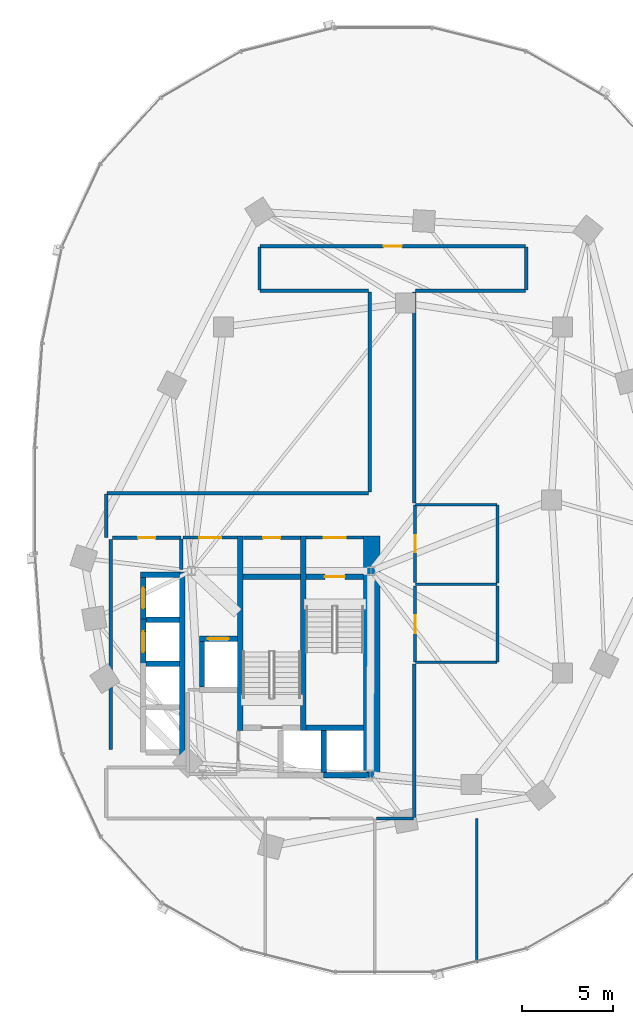
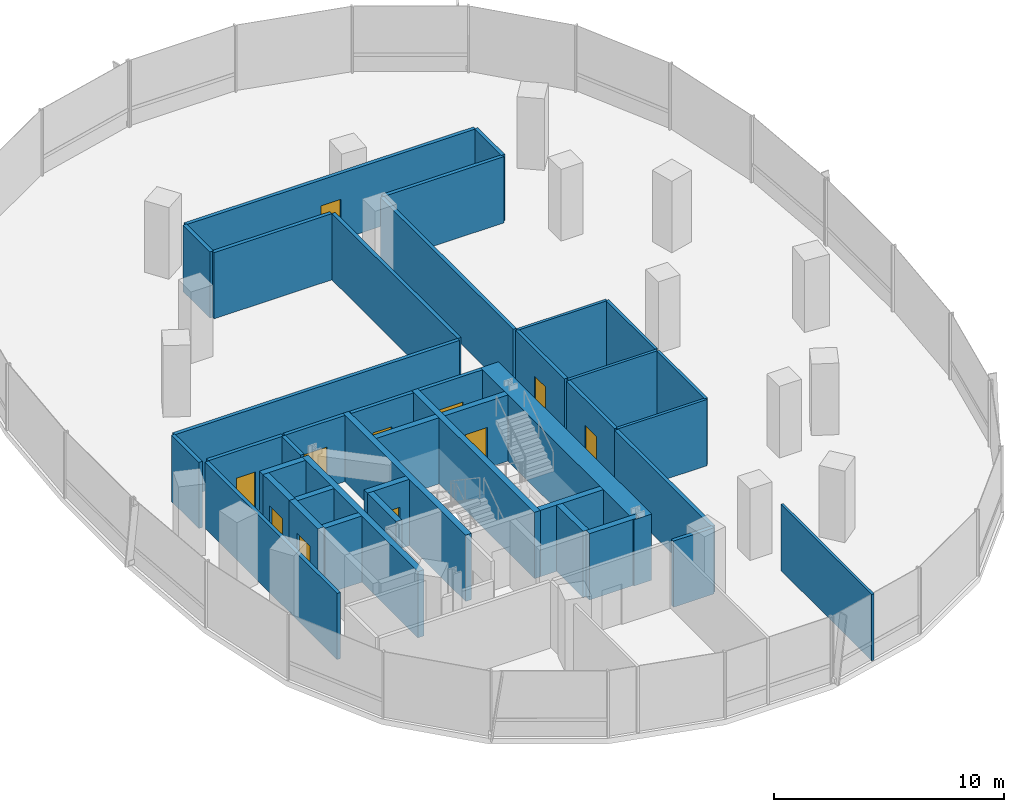
# One storey, part 13 of 21: 41 walls, 11 doors, 11 openings.
"""IFC4 building model written with IfcOpenShell, lengths in metres."""

from ifc_helpers import new_model, si_unit, direction, frame, frame_2d, origin, place, context, subcontext, project, spatial, rectangle, extrude, material, layer, layer_set, type_object, element, fill, save


model = new_model("IFC4")

# Units and contexts
model_context = context("Model", 3, precision=1e-05, world=origin(), true_north=direction((0.0, 1.0)))
body_context = subcontext(model_context, "Body", "Model", "MODEL_VIEW")
ifc_project = project(units=[si_unit("LENGTHUNIT", "METRE"), si_unit("AREAUNIT", "SQUARE_METRE"), si_unit("VOLUMEUNIT", "CUBIC_METRE"), si_unit("PLANEANGLEUNIT", "RADIAN"), si_unit("MASSUNIT", "GRAM", prefix="KILO"), si_unit("THERMODYNAMICTEMPERATUREUNIT", "KELVIN"), si_unit("POWERUNIT", "WATT")], contexts=[model_context])

# Site, building, storey
site_placement = place(None, origin())
site = spatial("IfcSite", under=ifc_project, at=site_placement, CompositionType="ELEMENT")
building_placement = place(site_placement, origin())
building = spatial("IfcBuilding", under=site, at=building_placement, Name="Cundina Bronze Exchange", CompositionType="ELEMENT")
storey_placement = place(building_placement, frame((0.0, 0.0, 73.39990234375)))
storey = spatial("IfcBuildingStorey", under=building, at=storey_placement, Name="L18", CompositionType="ELEMENT", Elevation=73.39990234375)

# Wall
ifc_material_1 = material(Name="Gypsum Fireboard Partition EI120")
ifc_layer_1 = layer(ifc_material_1, 0.179931640625, Name="Gypsum Fireboard Partition EI120")
ifc_layer_set_1 = layer_set([ifc_layer_1], Name="Gypsum Fireboard Partition EI120")
wall_type_1 = type_object("IfcWallType", Name="WL-COR-180", PredefinedType="PARTITIONING", material=ifc_layer_set_1)
wall_1_placement = place(storey_placement, frame((20.889892578125, -3.800048828125, 0.0), z_axis=(0.0, 0.0, 1.0), x_axis=(0.0, 1.0, 0.0)))
element("IfcWall", 1, at=wall_1_placement, inside=storey, type_object=wall_type_1, Name="L18 E Firefighting Lobby Side Wall", PredefinedType="PARTITIONING", context=body_context, shape_type="SweptSolid", body=[
    extrude(rectangle(XDim=1.650146484375, YDim=0.179931640625, at=frame_2d((0.8251953125, 0.0))), origin(), (0.0, 0.0, 1.0), 3.52001953125),
])

# Wall, opening, door
wall_2_placement = place(storey_placement, frame((20.97998046875, -2.06005859375, 0.0), z_axis=(0.0, 0.0, 1.0), x_axis=(1.0, 0.0, 0.0)))
wall_2 = element("IfcWall", 2, at=wall_2_placement, inside=storey, type_object=wall_type_1, Name="L18 E Firefighting Lobby Exit Wall", PredefinedType="PARTITIONING", context=body_context, shape_type="SweptSolid", body=[
    extrude(rectangle(XDim=3.0, YDim=0.179931640625, at=frame_2d((1.5, 0.0))), origin(), (0.0, 0.0, 1.0), 3.52001953125),
])
opening_1_placement = place(wall_2_placement, frame((0.89990234375, 0.0, 0.0)))
opening_1 = element("IfcOpeningElement", 3, at=opening_1_placement, cuts=wall_2, Name="Opening DF-01", PredefinedType="OPENING", context=body_context, shape_type="SweptSolid", body=[
    extrude(rectangle(XDim=1.199951171875, YDim=2.14990234375, at=frame_2d((0.60009765625, 1.074951171875))), frame((0.0, 0.099853515625, 0.0), z_axis=(0.0, -1.0, 0.0), x_axis=(1.0, 0.0, 0.0)), (0.0, 0.0, 1.0), 0.199951171875),
])
ifc_material_2 = material(Name="Steel ASTM A36 Painted", Category="steel")
door_type_1 = type_object("IfcDoorType", Name="DR-FFL-1200", OperationType="NOTDEFINED", PredefinedType="DOOR", material=ifc_material_2)
door_1_placement = place(opening_1_placement, origin())
door_1 = element("IfcDoor", 4, at=door_1_placement, inside=storey, type_object=door_type_1, Name="L18 E Firefighting Lobby Door", OperationType="SINGLE_SWING_LEFT", OverallHeight=2.14990234375, OverallWidth=1.199951171875, PredefinedType="DOOR", context=body_context, shape_type="SweptSolid", body=[
    extrude(rectangle(XDim=1.199951171875, YDim=2.14990234375, at=frame_2d((0.60009765625, 1.074951171875))), frame((0.0, 0.02490234375, 0.0), z_axis=(0.0, -1.0, 0.0), x_axis=(1.0, 0.0, 0.0)), (0.0, 0.0, 1.0), 0.050048828125),
])
fill(opening_1, door_1)

wall_3_placement = place(storey_placement, frame((27.739990234375, -2.06005859375, 0.0), z_axis=(0.0, 0.0, 1.0), x_axis=(1.0, 0.0, 0.0)))
wall_3 = element("IfcWall", 5, at=wall_3_placement, inside=storey, type_object=wall_type_1, Name="L18 E Stair Vestibule Exit Wall", PredefinedType="PARTITIONING", context=body_context, shape_type="SweptSolid", body=[
    extrude(rectangle(XDim=3.159912109375, YDim=0.179931640625, at=frame_2d((1.580078125, 0.0))), origin(), (0.0, 0.0, 1.0), 3.52001953125),
])
opening_2_placement = place(wall_3_placement, frame((0.97998046875, 0.0, 0.0)))
opening_2 = element("IfcOpeningElement", 6, at=opening_2_placement, cuts=wall_3, Name="Opening DF-01", PredefinedType="OPENING", context=body_context, shape_type="SweptSolid", body=[
    extrude(rectangle(XDim=1.199951171875, YDim=2.14990234375, at=frame_2d((0.60009765625, 1.074951171875))), frame((0.0, 0.099853515625, 0.0), z_axis=(0.0, -1.0, 0.0), x_axis=(1.0, 0.0, 0.0)), (0.0, 0.0, 1.0), 0.199951171875),
])
door_2_placement = place(opening_2_placement, origin())
door_2 = element("IfcDoor", 7, at=door_2_placement, inside=storey, type_object=door_type_1, Name="L18 E Stair Vestibule Door", OperationType="SINGLE_SWING_RIGHT", OverallHeight=2.14990234375, OverallWidth=1.199951171875, PredefinedType="DOOR", context=body_context, shape_type="SweptSolid", body=[
    extrude(rectangle(XDim=1.199951171875, YDim=2.14990234375, at=frame_2d((0.60009765625, 1.074951171875))), frame((0.0, 0.02490234375, 0.0), z_axis=(0.0, -1.0, 0.0), x_axis=(1.0, 0.0, 0.0)), (0.0, 0.0, 1.0), 0.050048828125),
])
fill(opening_2, door_2)

# Wall
wall_4_placement = place(storey_placement, frame((17.02001953125, -13.679931640625, 0.0), z_axis=(0.0, 0.0, 1.0), x_axis=(0.0, 1.0, 0.0)))
element("IfcWall", 8, at=wall_4_placement, inside=storey, type_object=wall_type_1, Name="L18 Interior Partition 031", PredefinedType="PARTITIONING", context=body_context, shape_type="SweptSolid", body=[
    extrude(rectangle(XDim=11.510009765625, YDim=0.179931640625, at=frame_2d((5.7548828125, 0.0))), origin(), (0.0, 0.0, 1.0), 3.52001953125),
])

# Wall, opening, door
wall_5_placement = place(storey_placement, frame((17.1201171875, -2.070068359375, 0.0), z_axis=(0.0, 0.0, 1.0), x_axis=(1.0, 0.0, 0.0)))
wall_5 = element("IfcWall", 9, at=wall_5_placement, inside=storey, type_object=wall_type_1, Name="L18 Interior Partition 032", PredefinedType="PARTITIONING", context=body_context, shape_type="SweptSolid", body=[
    extrude(rectangle(XDim=3.75, YDim=0.179931640625, at=frame_2d((1.875, 0.0))), origin(), (0.0, 0.0, 1.0), 3.52001953125),
])
opening_3_placement = place(wall_5_placement, frame((1.39990234375, 0.0, 0.0)))
opening_3 = element("IfcOpeningElement", 10, at=opening_3_placement, cuts=wall_5, Name="Opening DW-01", PredefinedType="OPENING", context=body_context, shape_type="SweptSolid", body=[
    extrude(rectangle(XDim=0.949951171875, YDim=2.10009765625, at=frame_2d((0.47509765625, 1.050048828125))), frame((0.0, 0.099853515625, 0.0), z_axis=(0.0, -1.0, 0.0), x_axis=(1.0, 0.0, 0.0)), (0.0, 0.0, 1.0), 0.199951171875),
])
ifc_material_3 = material(Name="Solid Andean Oak Timber Grade A", Category="wood")
door_type_2 = type_object("IfcDoorType", Name="DR-WC-950", OperationType="NOTDEFINED", PredefinedType="DOOR", material=ifc_material_3)
door_3_placement = place(opening_3_placement, origin())
door_3 = element("IfcDoor", 11, at=door_3_placement, inside=storey, type_object=door_type_2, Name="L18 Interior Door 032", OperationType="SINGLE_SWING_RIGHT", OverallHeight=2.10009765625, OverallWidth=0.949951171875, PredefinedType="DOOR", context=body_context, shape_type="SweptSolid", body=[
    extrude(rectangle(XDim=0.949951171875, YDim=2.10009765625, at=frame_2d((0.47509765625, 1.050048828125))), frame((0.0, 0.02490234375, 0.0), z_axis=(0.0, -1.0, 0.0), x_axis=(1.0, 0.0, 0.0)), (0.0, 0.0, 1.0), 0.050048828125),
])
fill(opening_3, door_3)

wall_6_placement = place(storey_placement, frame((24.300048828125, -2.070068359375, 0.0), z_axis=(0.0, 0.0, 1.0), x_axis=(1.0, 0.0, 0.0)))
wall_6 = element("IfcWall", 12, at=wall_6_placement, inside=storey, type_object=wall_type_1, Name="L18 Interior Partition 036", PredefinedType="PARTITIONING", context=body_context, shape_type="SweptSolid", body=[
    extrude(rectangle(XDim=3.119873046875, YDim=0.179931640625, at=frame_2d((1.56005859375, 0.0))), origin(), (0.0, 0.0, 1.0), 3.52001953125),
])
opening_4_placement = place(wall_6_placement, frame((1.0849609375, 0.0, 0.0)))
opening_4 = element("IfcOpeningElement", 13, at=opening_4_placement, cuts=wall_6, Name="Opening DW-01", PredefinedType="OPENING", context=body_context, shape_type="SweptSolid", body=[
    extrude(rectangle(XDim=0.949951171875, YDim=2.10009765625, at=frame_2d((0.47509765625, 1.050048828125))), frame((0.0, 0.099853515625, 0.0), z_axis=(0.0, -1.0, 0.0), x_axis=(1.0, 0.0, 0.0)), (0.0, 0.0, 1.0), 0.199951171875),
])
door_4_placement = place(opening_4_placement, origin())
door_4 = element("IfcDoor", 14, at=door_4_placement, inside=storey, type_object=door_type_2, Name="L18 Interior Door 036", OperationType="SINGLE_SWING_RIGHT", OverallHeight=2.10009765625, OverallWidth=0.949951171875, PredefinedType="DOOR", context=body_context, shape_type="SweptSolid", body=[
    extrude(rectangle(XDim=0.949951171875, YDim=2.10009765625, at=frame_2d((0.47509765625, 1.050048828125))), frame((0.0, 0.02490234375, 0.0), z_axis=(0.0, -1.0, 0.0), x_axis=(1.0, 0.0, 0.0)), (0.0, 0.0, 1.0), 0.050048828125),
])
fill(opening_4, door_4)

wall_7_placement = place(storey_placement, frame((33.719970703125, -4.530029296875, 0.0), z_axis=(0.0, 0.0, 1.0), x_axis=(0.0, 1.0, 0.0)))
wall_7 = element("IfcWall", 15, at=wall_7_placement, inside=storey, type_object=wall_type_1, Name="L18 Interior Partition 043", PredefinedType="PARTITIONING", context=body_context, shape_type="SweptSolid", body=[
    extrude(rectangle(XDim=4.260009765625, YDim=0.179931640625, at=frame_2d((2.1298828125, 0.0))), origin(), (0.0, 0.0, 1.0), 3.52001953125),
])
opening_5_placement = place(wall_7_placement, frame((1.655029296875, 0.0, 0.0)))
opening_5 = element("IfcOpeningElement", 16, at=opening_5_placement, cuts=wall_7, Name="Opening DW-01", PredefinedType="OPENING", context=body_context, shape_type="SweptSolid", body=[
    extrude(rectangle(XDim=0.949951171875, YDim=2.10009765625, at=frame_2d((0.47509765625, 1.050048828125))), frame((0.0, 0.099853515625, 0.0), z_axis=(0.0, -1.0, 0.0), x_axis=(1.0, 0.0, 0.0)), (0.0, 0.0, 1.0), 0.199951171875),
])
door_5_placement = place(opening_5_placement, origin())
door_5 = element("IfcDoor", 17, at=door_5_placement, inside=storey, type_object=door_type_2, Name="L18 Interior Door 043", OperationType="SINGLE_SWING_RIGHT", OverallHeight=2.10009765625, OverallWidth=0.949951171875, PredefinedType="DOOR", context=body_context, shape_type="SweptSolid", body=[
    extrude(rectangle(XDim=0.949951171875, YDim=2.10009765625, at=frame_2d((0.47509765625, 1.050048828125))), frame((0.0, 0.02490234375, 0.0), z_axis=(0.0, -1.0, 0.0), x_axis=(1.0, 0.0, 0.0)), (0.0, 0.0, 1.0), 0.050048828125),
])
fill(opening_5, door_5)

wall_8_placement = place(storey_placement, frame((33.719970703125, -8.889892578125, 0.0), z_axis=(0.0, 0.0, 1.0), x_axis=(0.0, 1.0, 0.0)))
wall_8 = element("IfcWall", 18, at=wall_8_placement, inside=storey, type_object=wall_type_1, Name="L18 Interior Partition 044", PredefinedType="PARTITIONING", context=body_context, shape_type="SweptSolid", body=[
    extrude(rectangle(XDim=4.159912109375, YDim=0.179931640625, at=frame_2d((2.080078125, 0.0))), origin(), (0.0, 0.0, 1.0), 3.52001953125),
])
opening_6_placement = place(wall_8_placement, frame((1.580078125, 0.0, 0.0)))
opening_6 = element("IfcOpeningElement", 19, at=opening_6_placement, cuts=wall_8, Name="Opening DO-01", PredefinedType="OPENING", context=body_context, shape_type="SweptSolid", body=[
    extrude(rectangle(XDim=1.0, YDim=2.14990234375, at=frame_2d((0.5, 1.074951171875))), frame((0.0, 0.099853515625, 0.0), z_axis=(0.0, -1.0, 0.0), x_axis=(1.0, 0.0, 0.0)), (0.0, 0.0, 1.0), 0.199951171875),
])
door_type_3 = type_object("IfcDoorType", Name="DR-OFF-1000", OperationType="NOTDEFINED", PredefinedType="DOOR", material=ifc_material_3)
door_6_placement = place(opening_6_placement, origin())
door_6 = element("IfcDoor", 20, at=door_6_placement, inside=storey, type_object=door_type_3, Name="L18 Interior Door 044", OperationType="SINGLE_SWING_RIGHT", OverallHeight=2.14990234375, OverallWidth=1.0, PredefinedType="DOOR", context=body_context, shape_type="SweptSolid", body=[
    extrude(rectangle(XDim=1.0, YDim=2.14990234375, at=frame_2d((0.5, 1.074951171875))), frame((0.0, 0.02490234375, 0.0), z_axis=(0.0, -1.0, 0.0), x_axis=(1.0, 0.0, 0.0)), (0.0, 0.0, 1.0), 0.050048828125),
])
fill(opening_6, door_6)

wall_9_placement = place(storey_placement, frame((39.778564453125, 13.919921875, 0.0), z_axis=(0.0, 0.0, 1.0), x_axis=(-1.0, 0.0, 0.0)))
wall_9 = element("IfcWall", 21, at=wall_9_placement, inside=storey, type_object=wall_type_1, Name="L18 Interior Partition 049", PredefinedType="PARTITIONING", context=body_context, shape_type="SweptSolid", body=[
    extrude(rectangle(XDim=14.55712890625, YDim=0.179931640625, at=frame_2d((7.278564453125, 0.0))), origin(), (0.0, 0.0, 1.0), 3.52001953125),
])
opening_7_placement = place(wall_9_placement, frame((6.778564453125, 0.0, 0.0)))
opening_7 = element("IfcOpeningElement", 22, at=opening_7_placement, cuts=wall_9, Name="Opening DO-01", PredefinedType="OPENING", context=body_context, shape_type="SweptSolid", body=[
    extrude(rectangle(XDim=1.0, YDim=2.14990234375, at=frame_2d((0.5, 1.074951171875))), frame((0.0, 0.099853515625, 0.0), z_axis=(0.0, -1.0, 0.0), x_axis=(1.0, 0.0, 0.0)), (0.0, 0.0, 1.0), 0.199951171875),
])
door_7_placement = place(opening_7_placement, origin())
door_7 = element("IfcDoor", 23, at=door_7_placement, inside=storey, type_object=door_type_3, Name="L18 Interior Door 049", OperationType="SINGLE_SWING_LEFT", OverallHeight=2.14990234375, OverallWidth=1.0, PredefinedType="DOOR", context=body_context, shape_type="SweptSolid", body=[
    extrude(rectangle(XDim=1.0, YDim=2.14990234375, at=frame_2d((0.5, 1.074951171875))), frame((0.0, 0.02490234375, 0.0), z_axis=(0.0, -1.0, 0.0), x_axis=(1.0, 0.0, 0.0)), (0.0, 0.0, 1.0), 0.050048828125),
])
fill(opening_7, door_7)

# Walls
wall_10_placement = place(storey_placement, frame((31.14990234375, 0.3701171875, 0.0), z_axis=(0.0, 0.0, 1.0), x_axis=(-1.0, 0.0, 0.0)))
element("IfcWall", 24, at=wall_10_placement, inside=storey, type_object=wall_type_1, Name="L18 Interior Partition 050", PredefinedType="PARTITIONING", context=body_context, shape_type="SweptSolid", body=[
    extrude(rectangle(XDim=14.328369140625, YDim=0.179931640625, at=frame_2d((7.1640625, 0.0))), origin(), (0.0, 0.0, 1.0), 3.52001953125),
])
wall_11_placement = place(storey_placement, frame((33.669921875, -0.15869140625, 0.0), z_axis=(0.0, 0.0, 1.0), x_axis=(0.0, 1.0, 0.0)))
element("IfcWall", 25, at=wall_11_placement, inside=storey, type_object=wall_type_1, Name="L18 Interior Partition 051", PredefinedType="PARTITIONING", context=body_context, shape_type="SweptSolid", body=[
    extrude(rectangle(XDim=11.55859375, YDim=0.179931640625, at=frame_2d((5.779296875, 0.0))), origin(), (0.0, 0.0, 1.0), 3.52001953125),
])
wall_12_placement = place(storey_placement, frame((31.22998046875, 11.39990234375, 0.0), z_axis=(0.0, 0.0, 1.0), x_axis=(0.0, -1.0, 0.0)))
element("IfcWall", 26, at=wall_12_placement, inside=storey, type_object=wall_type_1, Name="L18 Interior Partition 052", PredefinedType="PARTITIONING", context=body_context, shape_type="SweptSolid", body=[
    extrude(rectangle(XDim=10.949951171875, YDim=0.179931640625, at=frame_2d((5.47509765625, 0.0))), origin(), (0.0, 0.0, 1.0), 3.52001953125),
])
wall_13_placement = place(storey_placement, frame((33.669921875, -17.428466796875, 0.0), z_axis=(0.0, 0.0, 1.0), x_axis=(0.0, 1.0, 0.0)))
element("IfcWall", 27, at=wall_13_placement, inside=storey, type_object=wall_type_1, Name="L18 Interior Partition 054", PredefinedType="PARTITIONING", context=body_context, shape_type="SweptSolid", body=[
    extrude(rectangle(XDim=8.427001953125, YDim=0.179931640625, at=frame_2d((4.21337890625, 0.0))), origin(), (0.0, 0.0, 1.0), 3.52001953125),
])
wall_14_placement = place(storey_placement, frame((33.75, 11.47998046875, 0.0), z_axis=(0.0, 0.0, 1.0), x_axis=(1.0, 0.0, 0.0)))
element("IfcWall", 28, at=wall_14_placement, inside=storey, type_object=wall_type_1, Name="L18 Interior Partition 055", PredefinedType="PARTITIONING", context=body_context, shape_type="SweptSolid", body=[
    extrude(rectangle(XDim=6.028564453125, YDim=0.179931640625, at=frame_2d((3.01416015625, 0.0))), origin(), (0.0, 0.0, 1.0), 3.52001953125),
])
wall_15_placement = place(storey_placement, frame((25.221435546875, 11.47998046875, 0.0), z_axis=(0.0, 0.0, 1.0), x_axis=(1.0, 0.0, 0.0)))
element("IfcWall", 29, at=wall_15_placement, inside=storey, type_object=wall_type_1, Name="L18 Interior Partition 056", PredefinedType="PARTITIONING", context=body_context, shape_type="SweptSolid", body=[
    extrude(rectangle(XDim=5.928466796875, YDim=0.179931640625, at=frame_2d((2.96435546875, 0.0))), origin(), (0.0, 0.0, 1.0), 3.52001953125),
])
wall_16_placement = place(storey_placement, frame((16.780029296875, 0.32861328125, 0.0), z_axis=(0.0, 0.0, 1.0), x_axis=(0.0, -1.0, 0.0)))
element("IfcWall", 30, at=wall_16_placement, inside=storey, type_object=wall_type_1, Name="L18 Interior Partition 059", PredefinedType="PARTITIONING", context=body_context, shape_type="SweptSolid", body=[
    extrude(rectangle(XDim=2.38720703125, YDim=0.179931640625, at=frame_2d((1.193603515625, 0.0))), origin(), (0.0, 0.0, 1.0), 3.52001953125),
])
for number, where, z_axis, x_axis, name in (
    (31, (39.820068359375, 11.521484375, 0.0), (0.0, 0.0, 1.0), (0.0, 1.0, 0.0), "L18 Interior Partition 060"),
    (32, (25.179931640625, 13.87841796875, 0.0), (0.0, 0.0, 1.0), (0.0, -1.0, 0.0), "L18 Interior Partition 061"),
):
    element("IfcWall", number, at=place(storey_placement, frame(where, z_axis=z_axis, x_axis=x_axis)), inside=storey, type_object=wall_type_1, Name=name, PredefinedType="PARTITIONING", context=body_context, shape_type="SweptSolid", body=[
        extrude(rectangle(XDim=2.35693359375, YDim=0.179931640625, at=frame_2d((1.178466796875, 0.0))), origin(), (0.0, 0.0, 1.0), 3.52001953125),
    ])
wall_17_placement = place(storey_placement, frame((31.590087890625, -17.469970703125, 0.0), z_axis=(0.0, 0.0, 1.0), x_axis=(1.0, 0.0, 0.0)))
element("IfcWall", 33, at=wall_17_placement, inside=storey, type_object=wall_type_1, Name="L18 Interior Partition 062", PredefinedType="PARTITIONING", context=body_context, shape_type="SweptSolid", body=[
    extrude(rectangle(XDim=2.038330078125, YDim=0.179931640625, at=frame_2d((1.01904296875, 0.0))), origin(), (0.0, 0.0, 1.0), 3.52001953125),
])
ifc_material_4 = material(Name="Concrete C60/75", Category="concrete")
ifc_layer_2 = layer(ifc_material_4, 0.89990234375, Name="Concrete C60/75", Category="concrete")
ifc_layer_set_2 = layer_set([ifc_layer_2], Name="Concrete C60/75")
wall_type_2 = type_object("IfcWallType", Name="WL-CORE-900", PredefinedType="SHEAR", material=ifc_layer_set_2)
wall_18_placement = place(storey_placement, frame((31.35009765625, -15.300048828125, 0.0), z_axis=(0.0, 0.0, 1.0), x_axis=(0.0, 1.0, 0.0)))
element("IfcWall", 34, at=wall_18_placement, inside=storey, type_object=wall_type_2, Name="L18 E Primary Core Shear Spine Wall", PredefinedType="SHEAR", context=body_context, shape_type="SweptSolid", body=[
    extrude(rectangle(XDim=13.330078125, YDim=0.89990234375, at=frame_2d((6.6650390625, 0.0))), origin(), (0.0, 0.0, 1.0), 3.52001953125),
])
ifc_material_5 = material(Name="Gypsum Acoustic Partition EI60")
ifc_layer_3 = layer(ifc_material_5, 0.125, Name="Gypsum Acoustic Partition EI60")
ifc_layer_set_3 = layer_set([ifc_layer_3], Name="Gypsum Acoustic Partition EI60")
wall_type_3 = type_object("IfcWallType", Name="WL-OFF-125", PredefinedType="PARTITIONING", material=ifc_layer_set_3)
wall_19_placement = place(storey_placement, frame((37.10009765625, -25.37890625, 0.0), z_axis=(0.0, 0.0, 1.0), x_axis=(0.0, 1.0, 0.0)))
element("IfcWall", 35, at=wall_19_placement, inside=storey, type_object=wall_type_3, Name="L18 Interior Partition 047", PredefinedType="PARTITIONING", context=body_context, shape_type="SweptSolid", body=[
    extrude(rectangle(XDim=7.908935546875, YDim=0.125, at=frame_2d((3.95458984375, 0.0))), origin(), (0.0, 0.0, 1.0), 3.52001953125),
])
ifc_material_6 = material(Name="Concrete C50/60", Category="concrete")
ifc_layer_4 = layer(ifc_material_6, 0.300048828125, Name="Concrete C50/60", Category="concrete")
ifc_layer_set_4 = layer_set([ifc_layer_4], Name="Concrete C50/60")
wall_type_4 = type_object("IfcWallType", Name="WL-SHFT-300", PredefinedType="SHEAR", material=ifc_layer_set_4)
for number, where, z_axis, x_axis, name in (
    (36, (27.590087890625, -12.64990234375, 0.0), (0.0, 0.0, 1.0), (0.0, 1.0, 0.0), "L18 E Stair Shaft Dividing Shear Wall"),
    (37, (24.1298828125, -12.64990234375, 0.0), (0.0, 0.0, 1.0), (0.0, 1.0, 0.0), "L18 E Stair 2 East Shear Wall"),
):
    element("IfcWall", number, at=place(storey_placement, frame(where, z_axis=z_axis, x_axis=x_axis)), inside=storey, type_object=wall_type_4, Name=name, PredefinedType="SHEAR", context=body_context, shape_type="SweptSolid", body=[
        extrude(rectangle(XDim=10.679931640625, YDim=0.300048828125, at=frame_2d((5.33984375, 0.0))), origin(), (0.0, 0.0, 1.0), 3.52001953125),
    ])

# Wall, opening, door
wall_20_placement = place(storey_placement, frame((27.739990234375, -4.199951171875, 0.0), z_axis=(0.0, 0.0, 1.0), x_axis=(1.0, 0.0, 0.0)))
wall_20 = element("IfcWall", 38, at=wall_20_placement, inside=storey, type_object=wall_type_4, Name="L18 Stair E1 Landing Wall", PredefinedType="SHEAR", context=body_context, shape_type="SweptSolid", body=[
    extrude(rectangle(XDim=3.159912109375, YDim=0.300048828125, at=frame_2d((1.580078125, 0.0))), origin(), (0.0, 0.0, 1.0), 3.52001953125),
])
opening_8_placement = place(wall_20_placement, frame((1.030029296875, 0.0, 0.0)))
opening_8 = element("IfcOpeningElement", 39, at=opening_8_placement, cuts=wall_20, Name="Opening DS-01", PredefinedType="OPENING", context=body_context, shape_type="SweptSolid", body=[
    extrude(rectangle(XDim=1.10009765625, YDim=2.14990234375, at=frame_2d((0.550048828125, 1.074951171875))), frame((0.0, 0.159912109375, 0.0), z_axis=(0.0, -1.0, 0.0), x_axis=(1.0, 0.0, 0.0)), (0.0, 0.0, 1.0), 0.320068359375),
])
door_type_4 = type_object("IfcDoorType", Name="DR-STR-1100", OperationType="NOTDEFINED", PredefinedType="DOOR", material=ifc_material_2)
door_8_placement = place(opening_8_placement, origin())
door_8 = element("IfcDoor", 40, at=door_8_placement, inside=storey, type_object=door_type_4, Name="L18 Smokeproof Stair E1 Door", OperationType="SINGLE_SWING_LEFT", OverallHeight=2.14990234375, OverallWidth=1.10009765625, PredefinedType="DOOR", context=body_context, shape_type="SweptSolid", body=[
    extrude(rectangle(XDim=1.10009765625, YDim=2.14990234375, at=frame_2d((0.550048828125, 1.074951171875))), frame((0.0, 0.02490234375, 0.0), z_axis=(0.0, -1.0, 0.0), x_axis=(1.0, 0.0, 0.0)), (0.0, 0.0, 1.0), 0.050048828125),
])
fill(opening_8, door_8)

# Walls
for number, where, z_axis, x_axis, name in (
    (41, (27.739990234375, -12.5, 0.0), (0.0, 0.0, 1.0), (1.0, 0.0, 0.0), "L18 Stair E1 Far Shaft Wall"),
    (42, (24.280029296875, -4.199951171875, 0.0), (0.0, 0.0, 1.0), (1.0, 0.0, 0.0), "L18 Stair E2 Far Shaft Wall"),
):
    element("IfcWall", number, at=place(storey_placement, frame(where, z_axis=z_axis, x_axis=x_axis)), inside=storey, type_object=wall_type_4, Name=name, PredefinedType="SHEAR", context=body_context, shape_type="SweptSolid", body=[
        extrude(rectangle(XDim=3.159912109375, YDim=0.300048828125, at=frame_2d((1.580078125, 0.0))), origin(), (0.0, 0.0, 1.0), 3.52001953125),
    ])

# Wall, opening, door
wall_21_placement = place(storey_placement, frame((21.8798828125, -7.60009765625, 0.0), z_axis=(0.0, 0.0, 1.0), x_axis=(1.0, 0.0, 0.0)))
wall_21 = element("IfcWall", 43, at=wall_21_placement, inside=storey, type_object=wall_type_4, Name="L18 FFL-E Hoistway Front Wall", PredefinedType="SHEAR", context=body_context, shape_type="SweptSolid", body=[
    extrude(rectangle(XDim=2.10009765625, YDim=0.300048828125, at=frame_2d((1.050048828125, 0.0))), origin(), (0.0, 0.0, 1.0), 3.52001953125),
])
opening_9_placement = place(wall_21_placement, frame((0.47509765625, 0.0, 0.0)))
opening_9 = element("IfcOpeningElement", 44, at=opening_9_placement, cuts=wall_21, Name="Opening LD-01", PredefinedType="OPENING", context=body_context, shape_type="SweptSolid", body=[
    extrude(rectangle(XDim=1.14990234375, YDim=2.199951171875, at=frame_2d((0.574951171875, 1.10009765625))), frame((0.0, 0.159912109375, 0.0), z_axis=(0.0, -1.0, 0.0), x_axis=(1.0, 0.0, 0.0)), (0.0, 0.0, 1.0), 0.320068359375),
])
door_type_5 = type_object("IfcDoorType", Name="DR-LND-1150", OperationType="NOTDEFINED", PredefinedType="TRAPDOOR", material=ifc_material_2)
door_9_placement = place(opening_9_placement, origin())
door_9 = element("IfcDoor", 45, at=door_9_placement, inside=storey, type_object=door_type_5, Name="L18 FFL-E Sliding Landing Door", OperationType="SLIDING_TO_LEFT", OverallHeight=2.199951171875, OverallWidth=1.14990234375, PredefinedType="TRAPDOOR", context=body_context, shape_type="SweptSolid", body=[
    extrude(rectangle(XDim=1.14990234375, YDim=2.199951171875, at=frame_2d((0.574951171875, 1.10009765625))), frame((0.0, 0.02490234375, 0.0), z_axis=(0.0, -1.0, 0.0), x_axis=(1.0, 0.0, 0.0)), (0.0, 0.0, 1.0), 0.050048828125),
])
fill(opening_9, door_9)

# Walls
for number, where, z_axis, x_axis, name in (
    (46, (22.030029296875, -10.25, 0.0), (0.0, 0.0, 1.0), (0.0, 1.0, 0.0), "L18 FFL-E Hoistway Side Wall"),
    (47, (28.699951171875, -15.10009765625, 0.0), (0.0, 0.0, 1.0), (1.0, 0.0, 0.0), "L18 PH-E1 Hoistway Front Wall"),
):
    element("IfcWall", number, at=place(storey_placement, frame(where, z_axis=z_axis, x_axis=x_axis)), inside=storey, type_object=wall_type_4, Name=name, PredefinedType="SHEAR", context=body_context, shape_type="SweptSolid", body=[
        extrude(rectangle(XDim=2.5, YDim=0.300048828125, at=frame_2d((1.25, 0.0))), origin(), (0.0, 0.0, 1.0), 3.52001953125),
    ])
wall_22_placement = place(storey_placement, frame((28.699951171875, -14.949951171875, 0.0), z_axis=(0.0, 0.0, 1.0), x_axis=(0.0, 1.0, 0.0)))
element("IfcWall", 48, at=wall_22_placement, inside=storey, type_object=wall_type_4, Name="L18 PH-E1 Hoistway Divider Wall", PredefinedType="SHEAR", context=body_context, shape_type="SweptSolid", body=[
    extrude(rectangle(XDim=2.300048828125, YDim=0.300048828125, at=frame_2d((1.14990234375, 0.0))), origin(), (0.0, 0.0, 1.0), 3.52001953125),
])
wall_23_placement = place(storey_placement, frame((20.949951171875, -14.0, 0.0), z_axis=(0.0, 0.0, 1.0), x_axis=(0.0, 1.0, 0.0)))
element("IfcWall", 49, at=wall_23_placement, inside=storey, type_object=wall_type_4, Name="L18 E Passenger Bank Hoistway Back Wall", PredefinedType="SHEAR", context=body_context, shape_type="SweptSolid", body=[
    extrude(rectangle(XDim=10.050048828125, YDim=0.300048828125, at=frame_2d((5.02490234375, 0.0))), origin(), (0.0, 0.0, 1.0), 3.52001953125),
])
wall_24_placement = place(storey_placement, frame((18.64990234375, -4.10009765625, 0.0), z_axis=(0.0, 0.0, 1.0), x_axis=(1.0, 0.0, 0.0)))
element("IfcWall", 50, at=wall_24_placement, inside=storey, type_object=wall_type_4, Name="L18 E Passenger Bank North Cap Wall", PredefinedType="SHEAR", context=body_context, shape_type="SweptSolid", body=[
    extrude(rectangle(XDim=2.150146484375, YDim=0.300048828125, at=frame_2d((1.0751953125, 0.0))), origin(), (0.0, 0.0, 1.0), 3.52001953125),
])
for number, where, z_axis, x_axis, name in (
    (51, (18.949951171875, -8.97509765625, 0.0), (0.0, 0.0, 1.0), (1.0, 0.0, 0.0), "L18 E Passenger Hoistway Divider 2"),
    (52, (18.949951171875, -6.574951171875, 0.0), (0.0, 0.0, 1.0), (1.0, 0.0, 0.0), "L18 E Passenger Hoistway Divider 3"),
):
    element("IfcWall", number, at=place(storey_placement, frame(where, z_axis=z_axis, x_axis=x_axis)), inside=storey, type_object=wall_type_4, Name=name, PredefinedType="SHEAR", context=body_context, shape_type="SweptSolid", body=[
        extrude(rectangle(XDim=1.85009765625, YDim=0.300048828125, at=frame_2d((0.925048828125, 0.0))), origin(), (0.0, 0.0, 1.0), 3.52001953125),
    ])

# Wall, opening, door
wall_25_placement = place(storey_placement, frame((18.800048828125, -9.02001953125, 0.0), z_axis=(0.0, 0.0, 1.0), x_axis=(0.0, 1.0, 0.0)))
wall_25 = element("IfcWall", 53, at=wall_25_placement, inside=storey, type_object=wall_type_4, Name="L18 PL-E1 Hoistway Front Wall", PredefinedType="SHEAR", context=body_context, shape_type="SweptSolid", body=[
    extrude(rectangle(XDim=2.489990234375, YDim=0.300048828125, at=frame_2d((1.2451171875, 0.0))), origin(), (0.0, 0.0, 1.0), 3.52001953125),
])
opening_10_placement = place(wall_25_placement, frame((0.669921875, 0.0, 0.0)))
opening_10 = element("IfcOpeningElement", 54, at=opening_10_placement, cuts=wall_25, Name="Opening LD-01", PredefinedType="OPENING", context=body_context, shape_type="SweptSolid", body=[
    extrude(rectangle(XDim=1.14990234375, YDim=2.199951171875, at=frame_2d((0.574951171875, 1.10009765625))), frame((0.0, 0.159912109375, 0.0), z_axis=(0.0, -1.0, 0.0), x_axis=(1.0, 0.0, 0.0)), (0.0, 0.0, 1.0), 0.320068359375),
])
door_10_placement = place(opening_10_placement, origin())
door_10 = element("IfcDoor", 55, at=door_10_placement, inside=storey, type_object=door_type_5, Name="L18 PL-E1 Sliding Landing Door", OperationType="SLIDING_TO_LEFT", OverallHeight=2.199951171875, OverallWidth=1.14990234375, PredefinedType="TRAPDOOR", context=body_context, shape_type="SweptSolid", body=[
    extrude(rectangle(XDim=1.14990234375, YDim=2.199951171875, at=frame_2d((0.574951171875, 1.10009765625))), frame((0.0, 0.02490234375, 0.0), z_axis=(0.0, -1.0, 0.0), x_axis=(1.0, 0.0, 0.0)), (0.0, 0.0, 1.0), 0.050048828125),
])
fill(opening_10, door_10)

wall_26_placement = place(storey_placement, frame((18.800048828125, -6.6201171875, 0.0), z_axis=(0.0, 0.0, 1.0), x_axis=(0.0, 1.0, 0.0)))
wall_26 = element("IfcWall", 56, at=wall_26_placement, inside=storey, type_object=wall_type_4, Name="L18 PL-E2 Hoistway Front Wall", PredefinedType="SHEAR", context=body_context, shape_type="SweptSolid", body=[
    extrude(rectangle(XDim=2.490234375, YDim=0.300048828125, at=frame_2d((1.2451171875, 0.0))), origin(), (0.0, 0.0, 1.0), 3.52001953125),
])
opening_11_placement = place(wall_26_placement, frame((0.669921875, 0.0, 0.0)))
opening_11 = element("IfcOpeningElement", 57, at=opening_11_placement, cuts=wall_26, Name="Opening LD-01", PredefinedType="OPENING", context=body_context, shape_type="SweptSolid", body=[
    extrude(rectangle(XDim=1.14990234375, YDim=2.199951171875, at=frame_2d((0.574951171875, 1.10009765625))), frame((0.0, 0.159912109375, 0.0), z_axis=(0.0, -1.0, 0.0), x_axis=(1.0, 0.0, 0.0)), (0.0, 0.0, 1.0), 0.320068359375),
])
door_11_placement = place(opening_11_placement, origin())
door_11 = element("IfcDoor", 58, at=door_11_placement, inside=storey, type_object=door_type_5, Name="L18 PL-E2 Sliding Landing Door", OperationType="SLIDING_TO_LEFT", OverallHeight=2.199951171875, OverallWidth=1.14990234375, PredefinedType="TRAPDOOR", context=body_context, shape_type="SweptSolid", body=[
    extrude(rectangle(XDim=1.14990234375, YDim=2.199951171875, at=frame_2d((0.574951171875, 1.10009765625))), frame((0.0, 0.02490234375, 0.0), z_axis=(0.0, -1.0, 0.0), x_axis=(1.0, 0.0, 0.0)), (0.0, 0.0, 1.0), 0.050048828125),
])
fill(opening_11, door_11)

# Walls
ifc_material_7 = material(Name="Moisture-Resistant Masonry Block Grade M15", Category="masonry")
ifc_layer_5 = layer(ifc_material_7, 0.139892578125, Name="Moisture-Resistant Masonry Block Grade M15", Category="masonry")
ifc_layer_set_5 = layer_set([ifc_layer_5], Name="Moisture-Resistant Masonry Block Grade M15")
wall_type_5 = type_object("IfcWallType", Name="WL-WET-140", PredefinedType="PARTITIONING", material=ifc_layer_set_5)
wall_27_placement = place(storey_placement, frame((38.239990234375, -8.889892578125, 0.0), z_axis=(0.0, 0.0, 1.0), x_axis=(0.0, 1.0, 0.0)))
element("IfcWall", 59, at=wall_27_placement, inside=storey, type_object=wall_type_5, Name="L18 Interior Partition 038", PredefinedType="PARTITIONING", context=body_context, shape_type="SweptSolid", body=[
    extrude(rectangle(XDim=4.1748046875, YDim=0.139892578125, at=frame_2d((2.08740234375, 0.0))), origin(), (0.0, 0.0, 1.0), 3.52001953125),
])
wall_28_placement = place(storey_placement, frame((38.239990234375, -4.544921875, 0.0), z_axis=(0.0, 0.0, 1.0), x_axis=(0.0, 1.0, 0.0)))
element("IfcWall", 60, at=wall_28_placement, inside=storey, type_object=wall_type_5, Name="L18 Interior Partition 039", PredefinedType="PARTITIONING", context=body_context, shape_type="SweptSolid", body=[
    extrude(rectangle(XDim=4.27490234375, YDim=0.139892578125, at=frame_2d((2.137451171875, 0.0))), origin(), (0.0, 0.0, 1.0), 3.52001953125),
])
for number, where, z_axis, x_axis, name in (
    (61, (33.739990234375, -0.25, 0.0), (0.0, 0.0, 1.0), (1.0, 0.0, 0.0), "L18 Interior Partition 040"),
    (62, (33.739990234375, -4.6298828125, 0.0), (0.0, 0.0, 1.0), (1.0, 0.0, 0.0), "L18 Interior Partition 041"),
    (63, (33.739990234375, -8.909912109375, 0.0), (0.0, 0.0, 1.0), (1.0, 0.0, 0.0), "L18 Interior Partition 042"),
):
    element("IfcWall", number, at=place(storey_placement, frame(where, z_axis=z_axis, x_axis=x_axis)), inside=storey, type_object=wall_type_5, Name=name, PredefinedType="PARTITIONING", context=body_context, shape_type="SweptSolid", body=[
        extrude(rectangle(XDim=4.47998046875, YDim=0.139892578125, at=frame_2d((2.239990234375, 0.0))), origin(), (0.0, 0.0, 1.0), 3.52001953125),
    ])

save(model, "model.ifc")
